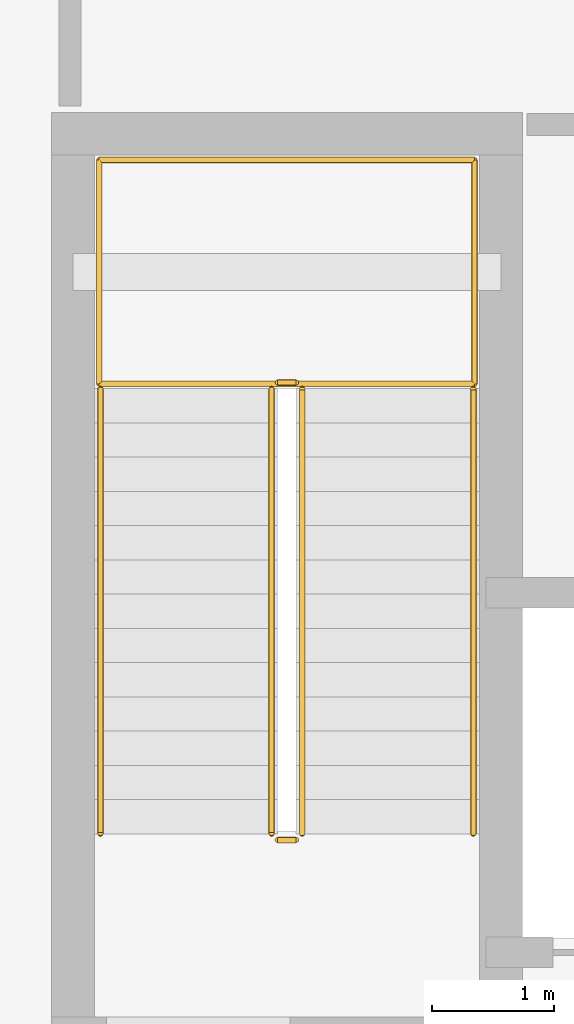
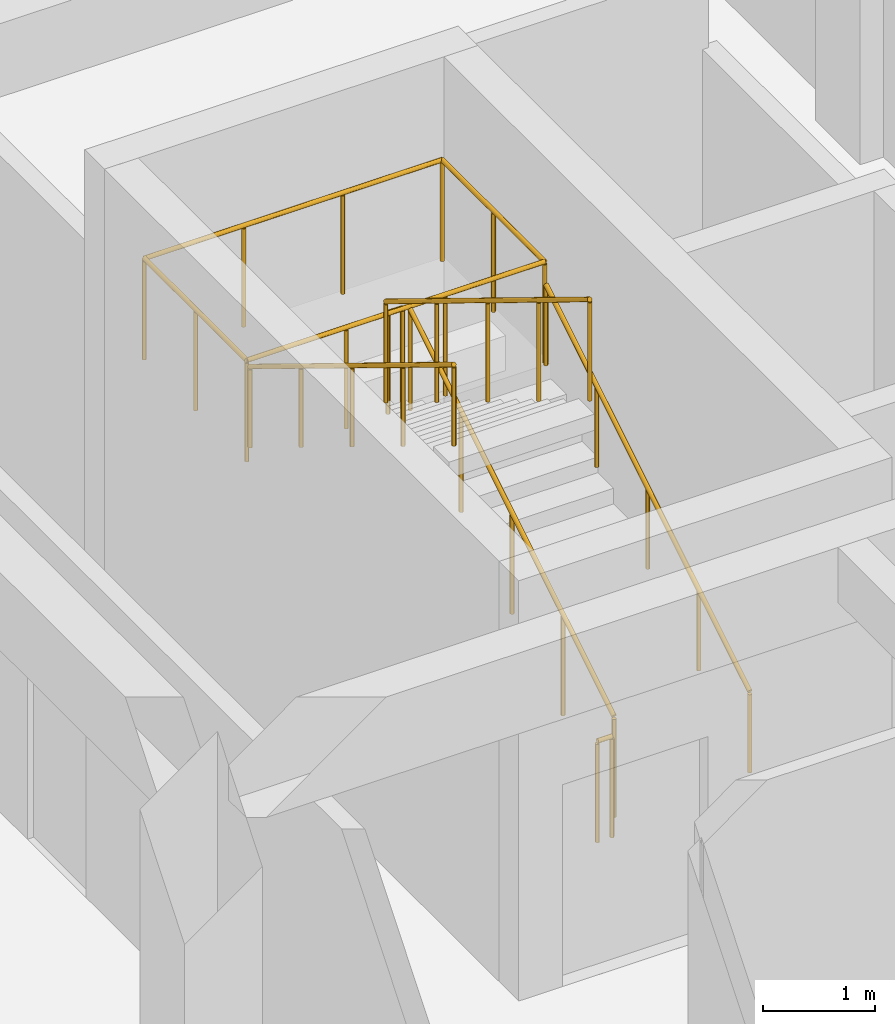
# One storey, part 63 of 65: 8 railings.
"""IFC4 building model written with IfcOpenShell, lengths in metres."""

from ifc_helpers import new_model, si_unit, direction, frame, origin, origin_2d, place, context, subcontext, project, spatial, circle, extrude, material, type_object, element, save


model = new_model("IFC4")

# Units and contexts
model_context = context("Model", 3, precision=1e-05, world=origin(), true_north=direction((0.0, 1.0)))
body_context = subcontext(model_context, "Body", "Model", "MODEL_VIEW")
ifc_project = project(units=[si_unit("LENGTHUNIT", "METRE"), si_unit("AREAUNIT", "SQUARE_METRE"), si_unit("VOLUMEUNIT", "CUBIC_METRE"), si_unit("PLANEANGLEUNIT", "RADIAN"), si_unit("MASSUNIT", "GRAM", prefix="KILO")], contexts=[model_context])

# Site, building, storey
site_placement = place(None, origin())
site = spatial("IfcSite", under=ifc_project, at=site_placement, CompositionType="ELEMENT")
building_placement = place(site_placement, origin())
building = spatial("IfcBuilding", under=site, at=building_placement, Name="Miralva Faculty of Natural Sciences", CompositionType="ELEMENT")
storey_placement = place(building_placement, frame((0.0, 0.0, 10.199951171875)))
storey = spatial("IfcBuildingStorey", under=building, at=storey_placement, Name="L02", CompositionType="ELEMENT", Elevation=10.199951171875)

# Railings
ifc_material = material(Name="Steel S355", Category="steel")
railing_type_1 = type_object("IfcRailingType", Name="RL-GR01", PredefinedType="GUARDRAIL", material=ifc_material)
railing_1_placement = place(storey_placement, frame((15.300048828125, 67.89990234375, 0.17138671875)))
element("IfcRailing", 1, at=railing_1_placement, inside=storey, type_object=railing_type_1, Name="Stair Core C2 safety guard L02-1", PredefinedType="GUARDRAIL", context=body_context, shape_type="SweptSolid", body=[
    extrude(circle(Radius=0.02392578125, at=origin_2d()), frame((0.0, 0.0, 1.09619140625), z_axis=(0.0, 0.852840387347, 0.522171689878), x_axis=(-1.0, 0.0, 0.0)), (0.0, 0.0, 1.0), 4.268310546875),
    extrude(circle(Radius=0.02099609375, at=origin_2d()), origin(), (0.0, 0.0, 1.0), 1.072021484375),
    extrude(circle(Radius=0.02099609375, at=origin_2d()), frame((0.0, 0.91015625, 0.55712890625)), (0.0, 0.0, 1.0), 1.072021484375),
    extrude(circle(Radius=0.02099609375, at=origin_2d()), frame((0.0, 1.820068359375, 1.1142578125)), (0.0, 0.0, 1.0), 1.072021484375),
    extrude(circle(Radius=0.02099609375, at=origin_2d()), frame((0.0, 2.72998046875, 1.671630859375)), (0.0, 0.0, 1.0), 1.072021484375),
    extrude(circle(Radius=0.02099609375, at=origin_2d()), frame((0.0, 3.64013671875, 2.228759765625)), (0.0, 0.0, 1.0), 1.072021484375),
])
railing_2_placement = place(storey_placement, frame((15.25, 71.590087890625, 2.400146484375)))
element("IfcRailing", 2, at=railing_2_placement, inside=storey, type_object=railing_type_1, Name="Stair Core C2 safety guard L02-2", PredefinedType="GUARDRAIL", context=body_context, shape_type="SweptSolid", body=[
    extrude(circle(Radius=0.02392578125, at=origin_2d()), frame((0.0, 0.0, 1.09619140625), z_axis=(-1.0, 0.0, 0.0), x_axis=(0.0, -1.0, 0.0)), (0.0, 0.0, 1.0), 0.14990234375),
    extrude(circle(Radius=0.02099609375, at=origin_2d()), origin(), (0.0, 0.0, 1.0), 1.072021484375),
    extrude(circle(Radius=0.02099609375, at=origin_2d()), frame((-0.14990234375, 0.0, 0.0)), (0.0, 0.0, 1.0), 1.072021484375),
])
railing_3_placement = place(storey_placement, frame((15.050048828125, 71.5400390625, 2.571533203125)))
element("IfcRailing", 3, at=railing_3_placement, inside=storey, type_object=railing_type_1, Name="Stair Core C2 safety guard L02-3", PredefinedType="GUARDRAIL", context=body_context, shape_type="SweptSolid", body=[
    extrude(circle(Radius=0.02392578125, at=origin_2d()), frame((0.0, 0.0, 1.09619140625), z_axis=(0.0, -0.852865859571, 0.52213008492), x_axis=(1.0, 0.0, 0.0)), (0.0, 0.0, 1.0), 4.26806640625),
    extrude(circle(Radius=0.02099609375, at=origin_2d()), origin(), (0.0, 0.0, 1.0), 1.072021484375),
    extrude(circle(Radius=0.02099609375, at=origin_2d()), frame((0.0, -0.91015625, 0.55712890625)), (0.0, 0.0, 1.0), 1.072021484375),
    extrude(circle(Radius=0.02099609375, at=origin_2d()), frame((0.0, -1.820068359375, 1.1142578125)), (0.0, 0.0, 1.0), 1.072021484375),
    extrude(circle(Radius=0.02099609375, at=origin_2d()), frame((0.0, -2.72998046875, 1.67138671875)), (0.0, 0.0, 1.0), 1.072021484375),
    extrude(circle(Radius=0.02099609375, at=origin_2d()), frame((0.0, -3.64013671875, 2.228515625)), (0.0, 0.0, 1.0), 1.072021484375),
])
railing_4_placement = place(storey_placement, frame((15.25, 67.85009765625, 0.0)))
element("IfcRailing", 4, at=railing_4_placement, inside=storey, type_object=railing_type_1, Name="Stair Core C2 safety guard L02-4", PredefinedType="GUARDRAIL", context=body_context, shape_type="SweptSolid", body=[
    extrude(circle(Radius=0.02392578125, at=origin_2d()), frame((0.0, 0.0, 1.09619140625), z_axis=(-1.0, 0.0, 0.0), x_axis=(0.0, -1.0, 0.0)), (0.0, 0.0, 1.0), 0.14990234375),
    extrude(circle(Radius=0.02099609375, at=origin_2d()), origin(), (0.0, 0.0, 1.0), 1.072021484375),
    extrude(circle(Radius=0.02099609375, at=origin_2d()), frame((-0.14990234375, 0.0, 0.0)), (0.0, 0.0, 1.0), 1.072021484375),
])
railing_5_placement = place(storey_placement, frame((13.639892578125, 71.580078125, 2.400146484375)))
element("IfcRailing", 5, at=railing_5_placement, inside=storey, type_object=railing_type_1, Name="Stair Core C2 half-landing guard L02-1A", PredefinedType="GUARDRAIL", context=body_context, shape_type="SweptSolid", body=[
    extrude(circle(Radius=0.02392578125, at=origin_2d()), frame((0.0, 0.0, 1.09619140625), z_axis=(0.0, 1.0, 0.0), x_axis=(-1.0, 0.0, 0.0)), (0.0, 0.0, 1.0), 1.829833984375),
    extrude(circle(Radius=0.02392578125, at=origin_2d()), frame((0.0, 1.829833984375, 1.09619140625), z_axis=(1.0, 0.0, 0.0), x_axis=(0.0, 1.0, 0.0)), (0.0, 0.0, 1.0), 3.070068359375),
    extrude(circle(Radius=0.02099609375, at=origin_2d()), origin(), (0.0, 0.0, 1.0), 1.072021484375),
    extrude(circle(Radius=0.02099609375, at=origin_2d()), frame((0.0, 0.9150390625, 0.0)), (0.0, 0.0, 1.0), 1.072021484375),
    extrude(circle(Radius=0.02099609375, at=origin_2d()), frame((0.0, 1.829833984375, 0.0)), (0.0, 0.0, 1.0), 1.072021484375),
    extrude(circle(Radius=0.02099609375, at=origin_2d()), frame((1.0234375, 1.829833984375, 0.0)), (0.0, 0.0, 1.0), 1.072021484375),
    extrude(circle(Radius=0.02099609375, at=origin_2d()), frame((2.046630859375, 1.829833984375, 0.0)), (0.0, 0.0, 1.0), 1.072021484375),
    extrude(circle(Radius=0.02099609375, at=origin_2d()), frame((3.070068359375, 1.829833984375, 0.0)), (0.0, 0.0, 1.0), 1.072021484375),
])
railing_6_placement = place(storey_placement, frame((16.7099609375, 73.409912109375, 2.400146484375)))
element("IfcRailing", 6, at=railing_6_placement, inside=storey, type_object=railing_type_1, Name="Stair Core C2 half-landing guard L02-1B", PredefinedType="GUARDRAIL", context=body_context, shape_type="SweptSolid", body=[
    extrude(circle(Radius=0.02392578125, at=origin_2d()), frame((0.0, 0.0, 1.09619140625), z_axis=(0.0, -1.0, 0.0), x_axis=(1.0, 0.0, 0.0)), (0.0, 0.0, 1.0), 1.829833984375),
    extrude(circle(Radius=0.02392578125, at=origin_2d()), frame((0.0, -1.829833984375, 1.09619140625), z_axis=(-1.0, 0.0, 0.0), x_axis=(0.0, -1.0, 0.0)), (0.0, 0.0, 1.0), 3.070068359375),
    extrude(circle(Radius=0.02099609375, at=origin_2d()), origin(), (0.0, 0.0, 1.0), 1.072021484375),
    extrude(circle(Radius=0.02099609375, at=origin_2d()), frame((0.0, -0.9150390625, 0.0)), (0.0, 0.0, 1.0), 1.072021484375),
    extrude(circle(Radius=0.02099609375, at=origin_2d()), frame((0.0, -1.829833984375, 0.0)), (0.0, 0.0, 1.0), 1.072021484375),
    extrude(circle(Radius=0.02099609375, at=origin_2d()), frame((-1.0234375, -1.829833984375, 0.0)), (0.0, 0.0, 1.0), 1.072021484375),
    extrude(circle(Radius=0.02099609375, at=origin_2d()), frame((-2.046630859375, -1.829833984375, 0.0)), (0.0, 0.0, 1.0), 1.072021484375),
    extrude(circle(Radius=0.02099609375, at=origin_2d()), frame((-3.070068359375, -1.829833984375, 0.0)), (0.0, 0.0, 1.0), 1.072021484375),
])
railing_type_2 = type_object("IfcRailingType", Name="RL-HR01", PredefinedType="HANDRAIL", material=ifc_material)
railing_7_placement = place(storey_placement, frame((16.699951171875, 67.89990234375, 0.17138671875)))
element("IfcRailing", 7, at=railing_7_placement, inside=storey, type_object=railing_type_2, Name="Stair Core C2 handrail L02-1", PredefinedType="HANDRAIL", context=body_context, shape_type="SweptSolid", body=[
    extrude(circle(Radius=0.02392578125, at=origin_2d()), frame((0.0, 0.0, 0.8759765625), z_axis=(0.0, 0.852840387347, 0.522171689878), x_axis=(-1.0, 0.0, 0.0)), (0.0, 0.0, 1.0), 4.268310546875),
    extrude(circle(Radius=0.02099609375, at=origin_2d()), origin(), (0.0, 0.0, 1.0), 0.851806640625),
    extrude(circle(Radius=0.02099609375, at=origin_2d()), frame((0.0, 0.91015625, 0.55712890625)), (0.0, 0.0, 1.0), 0.851806640625),
    extrude(circle(Radius=0.02099609375, at=origin_2d()), frame((0.0, 1.820068359375, 1.1142578125)), (0.0, 0.0, 1.0), 0.851806640625),
    extrude(circle(Radius=0.02099609375, at=origin_2d()), frame((0.0, 2.72998046875, 1.671630859375)), (0.0, 0.0, 1.0), 0.851806640625),
    extrude(circle(Radius=0.02099609375, at=origin_2d()), frame((0.0, 3.64013671875, 2.228759765625)), (0.0, 0.0, 1.0), 0.851806640625),
])
railing_8_placement = place(storey_placement, frame((13.64990234375, 71.5400390625, 2.571533203125)))
element("IfcRailing", 8, at=railing_8_placement, inside=storey, type_object=railing_type_2, Name="Stair Core C2 handrail L02-2", PredefinedType="HANDRAIL", context=body_context, shape_type="SweptSolid", body=[
    extrude(circle(Radius=0.02392578125, at=origin_2d()), frame((0.0, 0.0, 0.8759765625), z_axis=(0.0, -0.852865859571, 0.52213008492), x_axis=(1.0, 0.0, 0.0)), (0.0, 0.0, 1.0), 4.26806640625),
    extrude(circle(Radius=0.02099609375, at=origin_2d()), origin(), (0.0, 0.0, 1.0), 0.851806640625),
    extrude(circle(Radius=0.02099609375, at=origin_2d()), frame((0.0, -0.91015625, 0.55712890625)), (0.0, 0.0, 1.0), 0.851806640625),
    extrude(circle(Radius=0.02099609375, at=origin_2d()), frame((0.0, -1.820068359375, 1.1142578125)), (0.0, 0.0, 1.0), 0.851806640625),
    extrude(circle(Radius=0.02099609375, at=origin_2d()), frame((0.0, -2.72998046875, 1.67138671875)), (0.0, 0.0, 1.0), 0.851806640625),
    extrude(circle(Radius=0.02099609375, at=origin_2d()), frame((0.0, -3.64013671875, 2.228515625)), (0.0, 0.0, 1.0), 0.851806640625),
])

save(model, "model.ifc")
